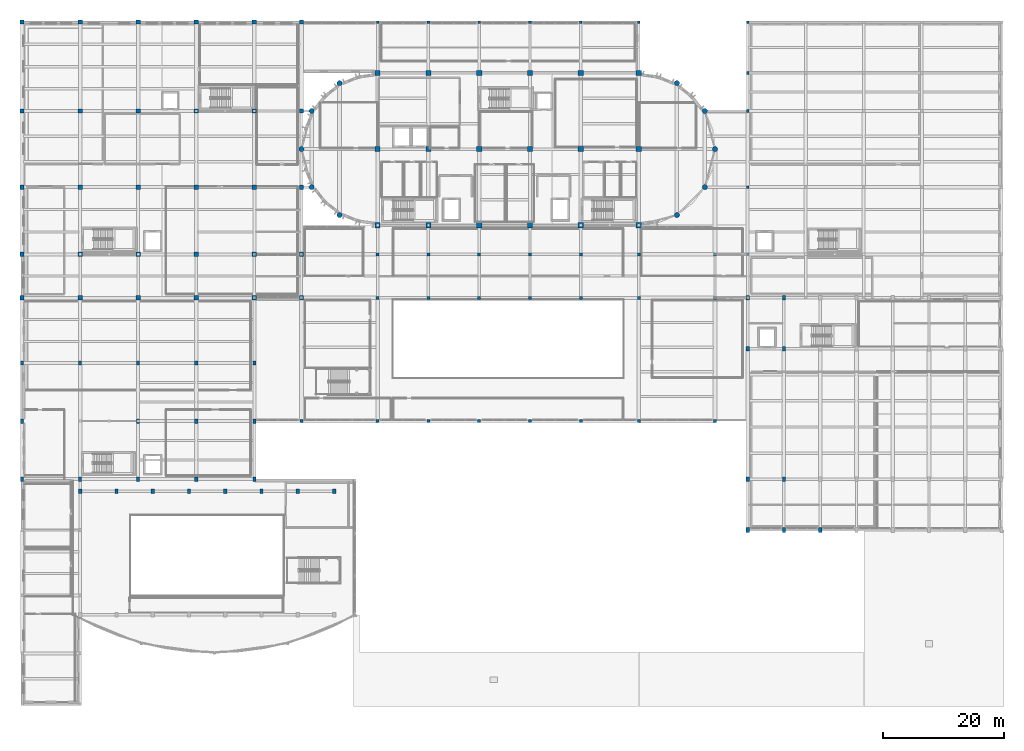
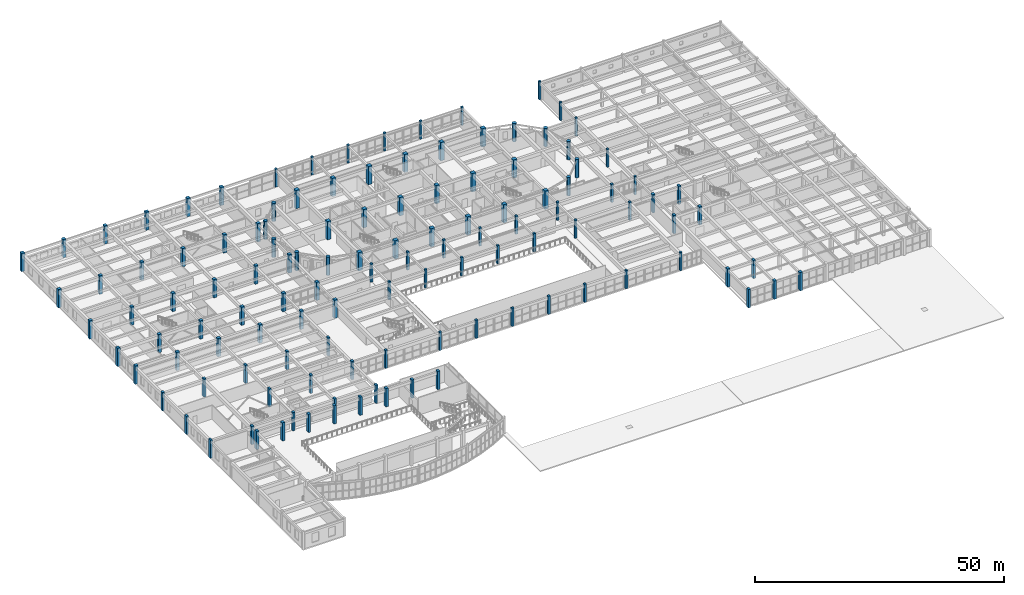
# One storey, part 3 of 92: 122 columns.
"""IFC4 building model written with IfcOpenShell, lengths in metres."""

from ifc_helpers import new_model, si_unit, direction, frame, origin, origin_2d, place, context, subcontext, project, spatial, rectangle, circle, extrude, material, material_profile, profile_set, type_object, element, save


model = new_model("IFC4")

# Units and contexts
model_context = context("Model", 3, precision=1e-05, world=origin(), true_north=direction((0.0, 1.0)))
body_context = subcontext(model_context, "Body", "Model", "MODEL_VIEW")
ifc_project = project(units=[si_unit("LENGTHUNIT", "METRE"), si_unit("AREAUNIT", "SQUARE_METRE"), si_unit("VOLUMEUNIT", "CUBIC_METRE"), si_unit("PLANEANGLEUNIT", "RADIAN"), si_unit("MASSUNIT", "GRAM", prefix="KILO")], contexts=[model_context])

# Site, building, storey
site_placement = place(None, origin())
site = spatial("IfcSite", under=ifc_project, at=site_placement, CompositionType="ELEMENT")
building_placement = place(site_placement, origin())
building = spatial("IfcBuilding", under=site, at=building_placement, Name="Tarnavel Promenade Courthouse", CompositionType="ELEMENT")
storey_placement = place(building_placement, frame((0.0, 0.0, 5.39990234375)))
storey = spatial("IfcBuildingStorey", under=building, at=storey_placement, Name="L02", CompositionType="ELEMENT", Elevation=5.39990234375)

# Columns
ifc_material = material(Name="Concrete C40/50", Category="concrete")
ifc_material_profile_1 = material_profile(ifc_material, circle(Radius=0.425048828125, at=origin_2d()), Name="RCC D850")
ifc_profile_set_1 = profile_set([ifc_material_profile_1], Name="Concrete C40/50")
column_type_1 = type_object("IfcColumnType", Name="Concrete C40/50 COL-DRUM-D850 (RCC D850)", PredefinedType="COLUMN", material=ifc_profile_set_1)
for number, where, z_axis, x_axis, name in (
    (1, (52.5, 102.7119140625, 0.0), (0.0, 0.0, 1.0), (1.0, 0.0, 0.0), "L02 Structural Column 0231"),
    (2, (108.300048828125, 80.88818359375, 0.0), (0.0, 0.0, 1.0), (1.0, 0.0, 0.0), "L02 Structural Column 0241"),
    (3, (47.88818359375, 98.10009765625, 0.0), (0.0, 0.0, 1.0), (1.0, 0.0, 0.0), "L02 Structural Column 0251"),
    (4, (112.911865234375, 85.5, 0.0), (0.0, 0.0, 1.0), (1.0, 0.0, 0.0), "L02 Structural Column 0261"),
    (5, (46.199951171875, 91.800048828125, 0.0), (0.0, 0.0, 1.0), (1.0, 0.0, 0.0), "L02 Structural Column 0271"),
    (6, (114.60009765625, 91.800048828125, 0.0), (0.0, 0.0, 1.0), (1.0, 0.0, 0.0), "L02 Structural Column 0281"),
    (7, (47.88818359375, 85.5, 0.0), (0.0, 0.0, 1.0), (1.0, 0.0, 0.0), "L02 Structural Column 0291"),
    (8, (112.911865234375, 98.10009765625, 0.0), (0.0, 0.0, 1.0), (1.0, 0.0, 0.0), "L02 Structural Column 0301"),
    (9, (52.5, 80.88818359375, 0.0), (0.0, 0.0, 1.0), (1.0, 0.0, 0.0), "L02 Structural Column 0311"),
    (10, (108.300048828125, 102.7119140625, 0.0), (0.0, 0.0, 1.0), (1.0, 0.0, 0.0), "L02 Structural Column 0321"),
):
    element("IfcColumn", number, at=place(storey_placement, frame(where, z_axis=z_axis, x_axis=x_axis)), inside=storey, type_object=column_type_1, Name=name, PredefinedType="COLUMN", context=body_context, shape_type="SweptSolid", body=[
        extrude(circle(Radius=0.425048828125, at=origin_2d()), origin(), (0.0, 0.0, 1.0), 4.5),
    ])
ifc_material_profile_2 = material_profile(ifc_material, rectangle(XDim=0.449951171875, YDim=0.449951171875, at=origin_2d()), Name="RC 450x450")
ifc_profile_set_2 = profile_set([ifc_material_profile_2], Name="Concrete C40/50")
column_type_2 = type_object("IfcColumnType", Name="Concrete C40/50 COL-RC450-PAV (RC 450x450)", PredefinedType="COLUMN", material=ifc_profile_set_2)
for number, where, z_axis, x_axis, name in (
    (11, (58.800048828125, 112.800048828125, 0.0), (0.0, 0.0, 1.0), (1.0, 0.0, 0.0), "L02 Structural Column 0033"),
    (12, (67.199951171875, 112.800048828125, 0.0), (0.0, 0.0, 1.0), (1.0, 0.0, 0.0), "L02 Structural Column 0075"),
    (13, (75.60009765625, 112.800048828125, 0.0), (0.0, 0.0, 1.0), (1.0, 0.0, 0.0), "L02 Structural Column 0113"),
    (14, (84.0, 112.800048828125, 0.0), (0.0, 0.0, 1.0), (1.0, 0.0, 0.0), "L02 Structural Column 0151"),
    (15, (92.39990234375, 112.800048828125, 0.0), (0.0, 0.0, 1.0), (1.0, 0.0, 0.0), "L02 Structural Column 0193"),
    (16, (102.0, 112.800048828125, 0.0), (0.0, 0.0, 1.0), (1.0, 0.0, 0.0), "L02 Structural Column 0227"),
    (17, (120.0, 74.39990234375, 0.0), (0.0, 0.0, 1.0), (1.0, 0.0, 0.0), "L02 Structural Column 0888"),
    (18, (120.0, 85.5, 0.0), (0.0, 0.0, 1.0), (1.0, 0.0, 0.0), "L02 Structural Column 0892"),
    (19, (120.0, 98.10009765625, 0.0), (0.0, 0.0, 1.0), (1.0, 0.0, 0.0), "L02 Structural Column 0896"),
    (20, (120.0, 104.39990234375, 0.0), (0.0, 0.0, 1.0), (1.0, 0.0, 0.0), "L02 Structural Column 0900"),
    (21, (120.0, 112.800048828125, 0.0), (0.0, 0.0, 1.0), (1.0, 0.0, 0.0), "L02 Structural Column 0904"),
):
    element("IfcColumn", number, at=place(storey_placement, frame(where, z_axis=z_axis, x_axis=x_axis)), inside=storey, type_object=column_type_2, Name=name, PredefinedType="COLUMN", context=body_context, shape_type="SweptSolid", body=[
        extrude(rectangle(XDim=0.449951171875, YDim=0.449951171875, at=origin_2d()), origin(), (0.0, 0.0, 1.0), 4.5),
    ])
ifc_material_profile_3 = material_profile(ifc_material, rectangle(XDim=0.5, YDim=0.5, at=origin_2d()), Name="RC 500x500")
ifc_profile_set_3 = profile_set([ifc_material_profile_3], Name="Concrete C40/50")
column_type_3 = type_object("IfcColumnType", Name="Concrete C40/50 COL-RC500-TOP (RC 500x500)", PredefinedType="COLUMN", material=ifc_profile_set_3)
for number, where, z_axis, x_axis, name in (
    (22, (46.199951171875, 46.800048828125, 0.0), (0.0, 0.0, 1.0), (1.0, 0.0, 0.0), "L02 Structural Column 1000"),
    (23, (58.800048828125, 46.800048828125, 0.0), (0.0, 0.0, 1.0), (1.0, 0.0, 0.0), "L02 Structural Column 1004"),
    (24, (58.800048828125, 67.199951171875, 0.0), (0.0, 0.0, 1.0), (1.0, 0.0, 0.0), "L02 Structural Column 1008"),
    (25, (58.800048828125, 74.39990234375, 0.0), (0.0, 0.0, 1.0), (1.0, 0.0, 0.0), "L02 Structural Column 1012"),
    (26, (67.199951171875, 46.800048828125, 0.0), (0.0, 0.0, 1.0), (1.0, 0.0, 0.0), "L02 Structural Column 1016"),
    (27, (67.199951171875, 67.199951171875, 0.0), (0.0, 0.0, 1.0), (1.0, 0.0, 0.0), "L02 Structural Column 1020"),
    (28, (67.199951171875, 74.39990234375, 0.0), (0.0, 0.0, 1.0), (1.0, 0.0, 0.0), "L02 Structural Column 1024"),
    (29, (75.60009765625, 46.800048828125, 0.0), (0.0, 0.0, 1.0), (1.0, 0.0, 0.0), "L02 Structural Column 1028"),
    (30, (75.60009765625, 67.199951171875, 0.0), (0.0, 0.0, 1.0), (1.0, 0.0, 0.0), "L02 Structural Column 1032"),
    (31, (75.60009765625, 74.39990234375, 0.0), (0.0, 0.0, 1.0), (1.0, 0.0, 0.0), "L02 Structural Column 1036"),
    (32, (84.0, 46.800048828125, 0.0), (0.0, 0.0, 1.0), (1.0, 0.0, 0.0), "L02 Structural Column 1040"),
    (33, (84.0, 67.199951171875, 0.0), (0.0, 0.0, 1.0), (1.0, 0.0, 0.0), "L02 Structural Column 1044"),
    (34, (84.0, 74.39990234375, 0.0), (0.0, 0.0, 1.0), (1.0, 0.0, 0.0), "L02 Structural Column 1048"),
    (35, (92.39990234375, 46.800048828125, 0.0), (0.0, 0.0, 1.0), (1.0, 0.0, 0.0), "L02 Structural Column 1052"),
    (36, (92.39990234375, 67.199951171875, 0.0), (0.0, 0.0, 1.0), (1.0, 0.0, 0.0), "L02 Structural Column 1056"),
    (37, (92.39990234375, 74.39990234375, 0.0), (0.0, 0.0, 1.0), (1.0, 0.0, 0.0), "L02 Structural Column 1060"),
    (38, (102.0, 46.800048828125, 0.0), (0.0, 0.0, 1.0), (1.0, 0.0, 0.0), "L02 Structural Column 1064"),
    (39, (102.0, 67.199951171875, 0.0), (0.0, 0.0, 1.0), (1.0, 0.0, 0.0), "L02 Structural Column 1068"),
    (40, (102.0, 74.39990234375, 0.0), (0.0, 0.0, 1.0), (1.0, 0.0, 0.0), "L02 Structural Column 1072"),
    (41, (114.60009765625, 46.800048828125, 0.0), (0.0, 0.0, 1.0), (1.0, 0.0, 0.0), "L02 Structural Column 1076"),
    (42, (114.60009765625, 67.199951171875, 0.0), (0.0, 0.0, 1.0), (1.0, 0.0, 0.0), "L02 Structural Column 1080"),
    (43, (114.60009765625, 74.39990234375, 0.0), (0.0, 0.0, 1.0), (1.0, 0.0, 0.0), "L02 Structural Column 1084"),
):
    element("IfcColumn", number, at=place(storey_placement, frame(where, z_axis=z_axis, x_axis=x_axis)), inside=storey, type_object=column_type_3, Name=name, PredefinedType="COLUMN", context=body_context, shape_type="SweptSolid", body=[
        extrude(rectangle(XDim=0.5, YDim=0.5, at=origin_2d()), origin(), (0.0, 0.0, 1.0), 4.5),
    ])
ifc_material_profile_4 = material_profile(ifc_material, rectangle(XDim=0.5, YDim=0.699951171875, at=origin_2d()), Name="RC 500x700")
ifc_profile_set_4 = profile_set([ifc_material_profile_4], Name="Concrete C40/50")
column_type_4 = type_object("IfcColumnType", Name="Concrete C40/50 COL-RC500x700 (RC 500x700)", PredefinedType="COLUMN", material=ifc_profile_set_4)
for number, where, z_axis, x_axis, name in (
    (44, (0.0, 37.199951171875, 0.0), (0.0, 0.0, 1.0), (1.0, 0.0, 0.0), "L02 Structural Column 0535"),
    (45, (0.0, 46.800048828125, 0.0), (0.0, 0.0, 1.0), (1.0, 0.0, 0.0), "L02 Structural Column 0541"),
    (46, (0.0, 56.39990234375, 0.0), (0.0, 0.0, 1.0), (1.0, 0.0, 0.0), "L02 Structural Column 0547"),
    (47, (9.60009765625, 37.199951171875, 0.0), (0.0, 0.0, 1.0), (1.0, 0.0, 0.0), "L02 Structural Column 0553"),
    (48, (9.60009765625, 56.39990234375, 0.0), (0.0, 0.0, 1.0), (1.0, 0.0, 0.0), "L02 Structural Column 0559"),
    (49, (19.199951171875, 37.199951171875, 0.0), (0.0, 0.0, 1.0), (1.0, 0.0, 0.0), "L02 Structural Column 0565"),
    (50, (19.199951171875, 46.800048828125, 0.0), (0.0, 0.0, 1.0), (1.0, 0.0, 0.0), "L02 Structural Column 0571"),
    (51, (19.199951171875, 56.39990234375, 0.0), (0.0, 0.0, 1.0), (1.0, 0.0, 0.0), "L02 Structural Column 0577"),
    (52, (28.800048828125, 37.199951171875, 0.0), (0.0, 0.0, 1.0), (1.0, 0.0, 0.0), "L02 Structural Column 0583"),
    (53, (28.800048828125, 46.800048828125, 0.0), (0.0, 0.0, 1.0), (1.0, 0.0, 0.0), "L02 Structural Column 0589"),
    (54, (28.800048828125, 56.39990234375, 0.0), (0.0, 0.0, 1.0), (1.0, 0.0, 0.0), "L02 Structural Column 0595"),
    (55, (38.39990234375, 37.199951171875, 0.0), (0.0, 0.0, 1.0), (1.0, 0.0, 0.0), "L02 Structural Column 0601"),
    (56, (38.39990234375, 46.800048828125, 0.0), (0.0, 0.0, 1.0), (1.0, 0.0, 0.0), "L02 Structural Column 0606"),
    (57, (38.39990234375, 56.39990234375, 0.0), (0.0, 0.0, 1.0), (1.0, 0.0, 0.0), "L02 Structural Column 0611"),
):
    element("IfcColumn", number, at=place(storey_placement, frame(where, z_axis=z_axis, x_axis=x_axis)), inside=storey, type_object=column_type_4, Name=name, PredefinedType="COLUMN", context=body_context, shape_type="SweptSolid", body=[
        extrude(rectangle(XDim=0.5, YDim=0.699951171875, at=origin_2d()), origin(), (0.0, 0.0, 1.0), 4.5),
    ])
ifc_material_profile_5 = material_profile(ifc_material, rectangle(XDim=0.550048828125, YDim=0.75, at=origin_2d()), Name="RC 550x750")
ifc_profile_set_5 = profile_set([ifc_material_profile_5], Name="Concrete C40/50")
column_type_5 = type_object("IfcColumnType", Name="Concrete C40/50 COL-RC550x750 (RC 550x750)", PredefinedType="COLUMN", material=ifc_profile_set_5)
for number, where, z_axis, x_axis, name in (
    (58, (9.60009765625, 35.199951171875, 0.0), (0.0, 0.0, 1.0), (1.0, 0.0, 0.0), "L02 Structural Column 0652"),
    (59, (15.60009765625, 35.199951171875, 0.0), (0.0, 0.0, 1.0), (1.0, 0.0, 0.0), "L02 Structural Column 0660"),
    (60, (21.60009765625, 35.199951171875, 0.0), (0.0, 0.0, 1.0), (1.0, 0.0, 0.0), "L02 Structural Column 0668"),
    (61, (27.60009765625, 35.199951171875, 0.0), (0.0, 0.0, 1.0), (1.0, 0.0, 0.0), "L02 Structural Column 0676"),
    (62, (33.60009765625, 35.199951171875, 0.0), (0.0, 0.0, 1.0), (1.0, 0.0, 0.0), "L02 Structural Column 0684"),
    (63, (39.60009765625, 35.199951171875, 0.0), (0.0, 0.0, 1.0), (1.0, 0.0, 0.0), "L02 Structural Column 0692"),
    (64, (45.60009765625, 35.199951171875, 0.0), (0.0, 0.0, 1.0), (1.0, 0.0, 0.0), "L02 Structural Column 0700"),
    (65, (51.60009765625, 35.199951171875, 0.0), (0.0, 0.0, 1.0), (1.0, 0.0, 0.0), "L02 Structural Column 0708"),
    (66, (120.0, 28.800048828125, 0.0), (0.0, 0.0, 1.0), (1.0, 0.0, 0.0), "L02 Structural Column 0728"),
    (67, (120.0, 37.199951171875, 0.0), (0.0, 0.0, 1.0), (1.0, 0.0, 0.0), "L02 Structural Column 0733"),
    (68, (120.0, 58.800048828125, 0.0), (0.0, 0.0, 1.0), (1.0, 0.0, 0.0), "L02 Structural Column 0738"),
    (69, (120.0, 67.199951171875, 0.0), (0.0, 0.0, 1.0), (1.0, 0.0, 0.0), "L02 Structural Column 0743"),
    (70, (126.0, 28.800048828125, 0.0), (0.0, 0.0, 1.0), (1.0, 0.0, 0.0), "L02 Structural Column 0748"),
    (71, (126.0, 37.199951171875, 0.0), (0.0, 0.0, 1.0), (1.0, 0.0, 0.0), "L02 Structural Column 0753"),
    (72, (126.0, 58.800048828125, 0.0), (0.0, 0.0, 1.0), (1.0, 0.0, 0.0), "L02 Structural Column 0758"),
    (73, (126.0, 67.199951171875, 0.0), (0.0, 0.0, 1.0), (1.0, 0.0, 0.0), "L02 Structural Column 0763"),
    (74, (132.0, 28.800048828125, 0.0), (0.0, 0.0, 1.0), (1.0, 0.0, 0.0), "L02 Structural Column 0768"),
):
    element("IfcColumn", number, at=place(storey_placement, frame(where, z_axis=z_axis, x_axis=x_axis)), inside=storey, type_object=column_type_5, Name=name, PredefinedType="COLUMN", context=body_context, shape_type="SweptSolid", body=[
        extrude(rectangle(XDim=0.550048828125, YDim=0.75, at=origin_2d()), origin(), (0.0, 0.0, 1.0), 4.5),
    ])
ifc_material_profile_6 = material_profile(ifc_material, rectangle(XDim=0.699951171875, YDim=0.699951171875, at=origin_2d()), Name="RC 700x700")
ifc_profile_set_6 = profile_set([ifc_material_profile_6], Name="Concrete C40/50")
column_type_6 = type_object("IfcColumnType", Name="Concrete C40/50 COL-RC700-MID (RC 700x700)", PredefinedType="COLUMN", material=ifc_profile_set_6)
for number, where, z_axis, x_axis, name in (
    (75, (0.0, 67.199951171875, 0.0), (0.0, 0.0, 1.0), (1.0, 0.0, 0.0), "L02 Structural Column 0331"),
    (76, (0.0, 74.39990234375, 0.0), (0.0, 0.0, 1.0), (1.0, 0.0, 0.0), "L02 Structural Column 0337"),
    (77, (0.0, 85.5, 0.0), (0.0, 0.0, 1.0), (1.0, 0.0, 0.0), "L02 Structural Column 0344"),
    (78, (0.0, 98.10009765625, 0.0), (0.0, 0.0, 1.0), (1.0, 0.0, 0.0), "L02 Structural Column 0351"),
    (79, (0.0, 112.800048828125, 0.0), (0.0, 0.0, 1.0), (1.0, 0.0, 0.0), "L02 Structural Column 0358"),
    (80, (9.60009765625, 67.199951171875, 0.0), (0.0, 0.0, 1.0), (1.0, 0.0, 0.0), "L02 Structural Column 0365"),
    (81, (9.60009765625, 74.39990234375, 0.0), (0.0, 0.0, 1.0), (1.0, 0.0, 0.0), "L02 Structural Column 0371"),
    (82, (9.60009765625, 85.5, 0.0), (0.0, 0.0, 1.0), (1.0, 0.0, 0.0), "L02 Structural Column 0378"),
    (83, (9.60009765625, 98.10009765625, 0.0), (0.0, 0.0, 1.0), (1.0, 0.0, 0.0), "L02 Structural Column 0385"),
    (84, (9.60009765625, 112.800048828125, 0.0), (0.0, 0.0, 1.0), (1.0, 0.0, 0.0), "L02 Structural Column 0392"),
    (85, (19.199951171875, 67.199951171875, 0.0), (0.0, 0.0, 1.0), (1.0, 0.0, 0.0), "L02 Structural Column 0399"),
    (86, (19.199951171875, 74.39990234375, 0.0), (0.0, 0.0, 1.0), (1.0, 0.0, 0.0), "L02 Structural Column 0405"),
    (87, (19.199951171875, 85.5, 0.0), (0.0, 0.0, 1.0), (1.0, 0.0, 0.0), "L02 Structural Column 0412"),
    (88, (19.199951171875, 98.10009765625, 0.0), (0.0, 0.0, 1.0), (1.0, 0.0, 0.0), "L02 Structural Column 0419"),
    (89, (19.199951171875, 112.800048828125, 0.0), (0.0, 0.0, 1.0), (1.0, 0.0, 0.0), "L02 Structural Column 0426"),
    (90, (28.800048828125, 67.199951171875, 0.0), (0.0, 0.0, 1.0), (1.0, 0.0, 0.0), "L02 Structural Column 0433"),
    (91, (28.800048828125, 74.39990234375, 0.0), (0.0, 0.0, 1.0), (1.0, 0.0, 0.0), "L02 Structural Column 0439"),
    (92, (28.800048828125, 85.5, 0.0), (0.0, 0.0, 1.0), (1.0, 0.0, 0.0), "L02 Structural Column 0446"),
    (93, (28.800048828125, 98.10009765625, 0.0), (0.0, 0.0, 1.0), (1.0, 0.0, 0.0), "L02 Structural Column 0453"),
    (94, (28.800048828125, 112.800048828125, 0.0), (0.0, 0.0, 1.0), (1.0, 0.0, 0.0), "L02 Structural Column 0460"),
    (95, (38.39990234375, 67.199951171875, 0.0), (0.0, 0.0, 1.0), (1.0, 0.0, 0.0), "L02 Structural Column 0467"),
    (96, (38.39990234375, 74.39990234375, 0.0), (0.0, 0.0, 1.0), (1.0, 0.0, 0.0), "L02 Structural Column 0473"),
    (97, (38.39990234375, 85.5, 0.0), (0.0, 0.0, 1.0), (1.0, 0.0, 0.0), "L02 Structural Column 0480"),
    (98, (38.39990234375, 98.10009765625, 0.0), (0.0, 0.0, 1.0), (1.0, 0.0, 0.0), "L02 Structural Column 0487"),
    (99, (38.39990234375, 112.800048828125, 0.0), (0.0, 0.0, 1.0), (1.0, 0.0, 0.0), "L02 Structural Column 0494"),
    (100, (46.199951171875, 67.199951171875, 0.0), (0.0, 0.0, 1.0), (1.0, 0.0, 0.0), "L02 Structural Column 0501"),
    (101, (46.199951171875, 74.39990234375, 0.0), (0.0, 0.0, 1.0), (1.0, 0.0, 0.0), "L02 Structural Column 0507"),
    (102, (46.199951171875, 85.5, 0.0), (0.0, 0.0, 1.0), (1.0, 0.0, 0.0), "L02 Structural Column 0514"),
    (103, (46.199951171875, 98.10009765625, 0.0), (0.0, 0.0, 1.0), (1.0, 0.0, 0.0), "L02 Structural Column 0521"),
    (104, (46.199951171875, 112.800048828125, 0.0), (0.0, 0.0, 1.0), (1.0, 0.0, 0.0), "L02 Structural Column 0528"),
):
    element("IfcColumn", number, at=place(storey_placement, frame(where, z_axis=z_axis, x_axis=x_axis)), inside=storey, type_object=column_type_6, Name=name, PredefinedType="COLUMN", context=body_context, shape_type="SweptSolid", body=[
        extrude(rectangle(XDim=0.699951171875, YDim=0.699951171875, at=origin_2d()), origin(), (0.0, 0.0, 1.0), 4.5),
    ])
ifc_material_profile_7 = material_profile(ifc_material, rectangle(XDim=0.85009765625, YDim=0.85009765625, at=origin_2d()), Name="RC 850x850")
ifc_profile_set_7 = profile_set([ifc_material_profile_7], Name="Concrete C40/50")
column_type_7 = type_object("IfcColumnType", Name="Concrete C40/50 COL-RC850-LOW (RC 850x850)", PredefinedType="COLUMN", material=ifc_profile_set_7)
for number, where, z_axis, x_axis, name in (
    (105, (58.800048828125, 79.199951171875, 0.0), (0.0, 0.0, 1.0), (1.0, 0.0, 0.0), "L02 Structural Column 0003"),
    (106, (58.800048828125, 91.800048828125, 0.0), (0.0, 0.0, 1.0), (1.0, 0.0, 0.0), "L02 Structural Column 0013"),
    (107, (58.800048828125, 104.39990234375, 0.0), (0.0, 0.0, 1.0), (1.0, 0.0, 0.0), "L02 Structural Column 0023"),
    (108, (67.199951171875, 79.199951171875, 0.0), (0.0, 0.0, 1.0), (1.0, 0.0, 0.0), "L02 Structural Column 0037"),
    (109, (67.199951171875, 91.800048828125, 0.0), (0.0, 0.0, 1.0), (1.0, 0.0, 0.0), "L02 Structural Column 0047"),
    (110, (67.199951171875, 104.39990234375, 0.0), (0.0, 0.0, 1.0), (1.0, 0.0, 0.0), "L02 Structural Column 0057"),
    (111, (75.60009765625, 79.199951171875, 0.0), (0.0, 0.0, 1.0), (1.0, 0.0, 0.0), "L02 Structural Column 0079"),
    (112, (75.60009765625, 91.800048828125, 0.0), (0.0, 0.0, 1.0), (1.0, 0.0, 0.0), "L02 Structural Column 0089"),
    (113, (75.60009765625, 104.39990234375, 0.0), (0.0, 0.0, 1.0), (1.0, 0.0, 0.0), "L02 Structural Column 0099"),
    (114, (84.0, 79.199951171875, 0.0), (0.0, 0.0, 1.0), (1.0, 0.0, 0.0), "L02 Structural Column 0117"),
    (115, (84.0, 91.800048828125, 0.0), (0.0, 0.0, 1.0), (1.0, 0.0, 0.0), "L02 Structural Column 0127"),
    (116, (84.0, 104.39990234375, 0.0), (0.0, 0.0, 1.0), (1.0, 0.0, 0.0), "L02 Structural Column 0137"),
    (117, (92.39990234375, 79.199951171875, 0.0), (0.0, 0.0, 1.0), (1.0, 0.0, 0.0), "L02 Structural Column 0155"),
    (118, (92.39990234375, 91.800048828125, 0.0), (0.0, 0.0, 1.0), (1.0, 0.0, 0.0), "L02 Structural Column 0165"),
    (119, (92.39990234375, 104.39990234375, 0.0), (0.0, 0.0, 1.0), (1.0, 0.0, 0.0), "L02 Structural Column 0175"),
    (120, (102.0, 79.199951171875, 0.0), (0.0, 0.0, 1.0), (1.0, 0.0, 0.0), "L02 Structural Column 0197"),
    (121, (102.0, 91.800048828125, 0.0), (0.0, 0.0, 1.0), (1.0, 0.0, 0.0), "L02 Structural Column 0207"),
    (122, (102.0, 104.39990234375, 0.0), (0.0, 0.0, 1.0), (1.0, 0.0, 0.0), "L02 Structural Column 0217"),
):
    element("IfcColumn", number, at=place(storey_placement, frame(where, z_axis=z_axis, x_axis=x_axis)), inside=storey, type_object=column_type_7, Name=name, PredefinedType="COLUMN", context=body_context, shape_type="SweptSolid", body=[
        extrude(rectangle(XDim=0.85009765625, YDim=0.85009765625, at=origin_2d()), origin(), (0.0, 0.0, 1.0), 4.5),
    ])

save(model, "model.ifc")
